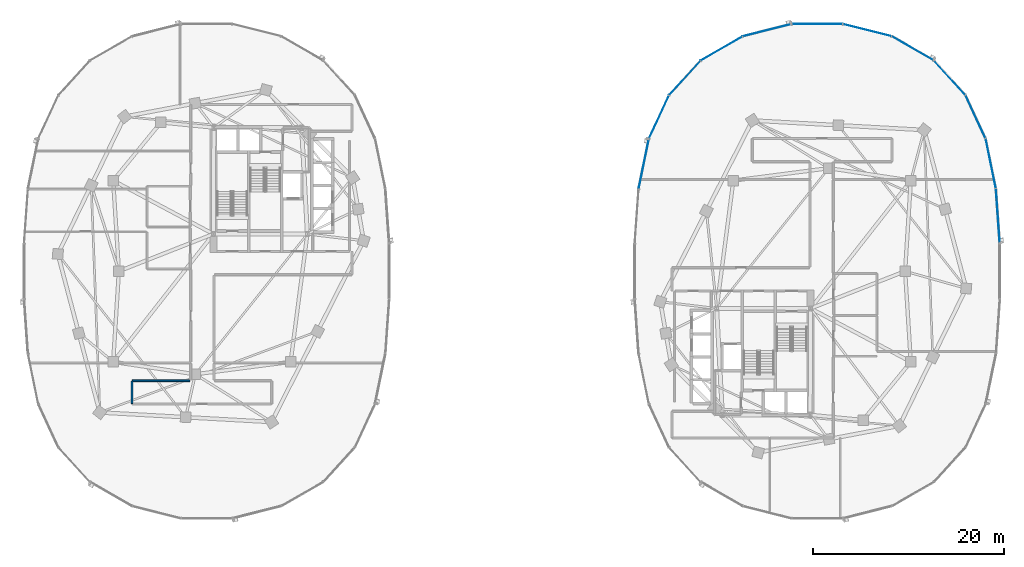
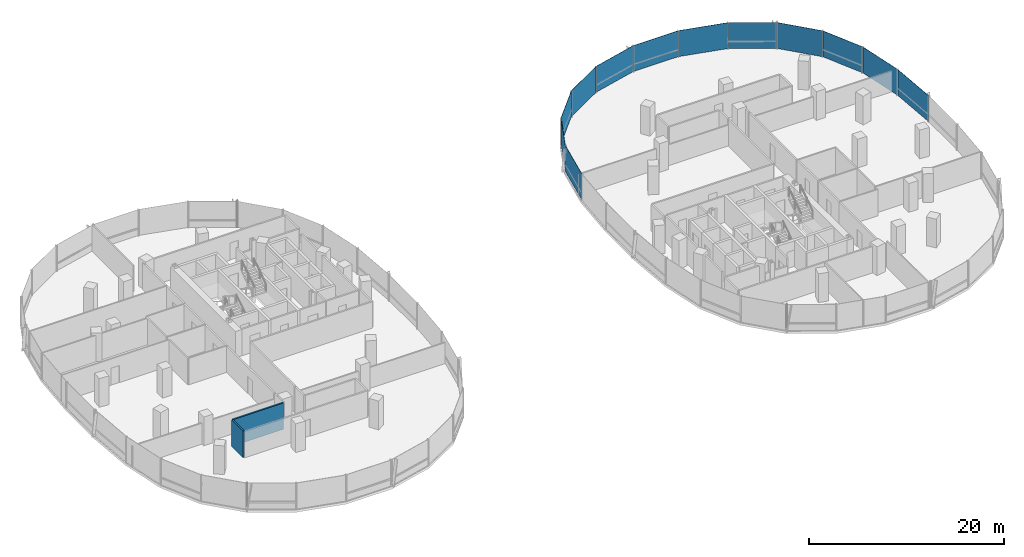
# One storey, part 10 of 21: 12 plates, 2 walls, 2 elements without a shape of their own.
"""IFC4 building model written with IfcOpenShell, lengths in metres."""

from ifc_helpers import new_model, si_unit, direction, frame, frame_2d, origin, origin_2d, place, context, subcontext, project, spatial, rectangle, extrude, material, layer, layer_set, type_object, element, aggregate, save


model = new_model("IFC4")

# Units and contexts
model_context = context("Model", 3, precision=1e-05, world=origin(), true_north=direction((0.0, 1.0)))
body_context = subcontext(model_context, "Body", "Model", "MODEL_VIEW")
ifc_project = project(units=[si_unit("LENGTHUNIT", "METRE"), si_unit("AREAUNIT", "SQUARE_METRE"), si_unit("VOLUMEUNIT", "CUBIC_METRE"), si_unit("PLANEANGLEUNIT", "RADIAN"), si_unit("MASSUNIT", "GRAM", prefix="KILO"), si_unit("THERMODYNAMICTEMPERATUREUNIT", "KELVIN"), si_unit("POWERUNIT", "WATT")], contexts=[model_context])

# Site, building, storey
site_placement = place(None, origin())
site = spatial("IfcSite", under=ifc_project, at=site_placement, CompositionType="ELEMENT")
building_placement = place(site_placement, origin())
building = spatial("IfcBuilding", under=site, at=building_placement, Name="Cundina Bronze Exchange", CompositionType="ELEMENT")
storey_placement = place(building_placement, frame((0.0, 0.0, 107.0)))
storey = spatial("IfcBuildingStorey", under=building, at=storey_placement, Name="L27", CompositionType="ELEMENT", Elevation=107.0)

# Curtain wall, plates
ifc_material_1 = material(Name="Anodised Bronze Aluminium 6063-T6", Category="aluminium")
curtain_wall_type = type_object("IfcCurtainWallType", Name="CWS-TRD-MID", PredefinedType="NOTDEFINED", material=ifc_material_1)
curtain_wall_1_placement = place(storey_placement, origin())
curtain_wall_1 = element("IfcCurtainWall", 1, at=curtain_wall_1_placement, inside=storey, type_object=curtain_wall_type, Name="L27 CW-03 Curtain Wall Run CWR-L27-E1", PredefinedType="NOTDEFINED")
ifc_material_2 = material(Name="Heat-Strengthened Solar-Control Bronze Safety Glass 28mm", Category="glass")
ifc_layer_1 = layer(ifc_material_2, 0.028076171875, Name="Heat-Strengthened Solar-Control Bronze Safety Glass 28mm", Category="glass")
ifc_layer_set_1 = layer_set([ifc_layer_1], Name="Heat-Strengthened Solar-Control Bronze Safety Glass 28mm")
plate_type_1 = type_object("IfcPlateType", Name="PLT-GLZ-VIS28", PredefinedType="CURTAIN_PANEL", material=ifc_layer_set_1)
plate_1_placement = place(storey_placement, frame((50.9267578125, 5.783935546875, 0.02001953125), z_axis=(0.0, 0.0, 1.0), x_axis=(-0.070278787473, 0.997527389113, 0.0)))
plate_1 = element("IfcPlate", 2, at=plate_1_placement, type_object=plate_type_1, Name="CW-03 Glazed Panel 1", PredefinedType="CURTAIN_PANEL", context=body_context, shape_type="SweptSolid", body=[
    extrude(rectangle(XDim=5.644287109375, YDim=0.028076171875, at=origin_2d()), origin(), (0.0, 0.0, 1.0), 3.260009765625),
])
plate_2_placement = place(storey_placement, frame((50.18408203125, 11.269775390625, 0.02001953125), z_axis=(0.0, 0.0, 1.0), x_axis=(-0.201419845156, 0.979505000486, 0.0)))
plate_2 = element("IfcPlate", 3, at=plate_2_placement, type_object=plate_type_1, Name="CW-03 Glazed Panel 2", PredefinedType="CURTAIN_PANEL", context=body_context, shape_type="SweptSolid", body=[
    extrude(rectangle(XDim=5.306640625, YDim=0.028076171875, at=origin_2d()), origin(), (0.0, 0.0, 1.0), 3.260009765625),
])
plate_3_placement = place(storey_placement, frame((45.8740234375, 20.267333984375, 0.02001953125), z_axis=(0.0, 0.0, 1.0), x_axis=(-0.674276610219, 0.73847887777, 0.0)))
plate_3 = element("IfcPlate", 4, at=plate_3_placement, type_object=plate_type_1, Name="CW-03 Glazed Panel 4", PredefinedType="CURTAIN_PANEL", context=body_context, shape_type="SweptSolid", body=[
    extrude(rectangle(XDim=4.86328125, YDim=0.028076171875, at=origin_2d()), origin(), (0.0, 0.0, 1.0), 3.260009765625),
])
plate_4_placement = place(storey_placement, frame((42.019287109375, 23.34423828125, 0.02001953125), z_axis=(0.0, 0.0, 1.0), x_axis=(-0.867105478933, 0.498124571171, 0.0)))
plate_4 = element("IfcPlate", 5, at=plate_4_placement, type_object=plate_type_1, Name="CW-03 Glazed Panel 5", PredefinedType="CURTAIN_PANEL", context=body_context, shape_type="SweptSolid", body=[
    extrude(rectangle(XDim=5.021240234375, YDim=0.028076171875, at=origin_2d()), origin(), (0.0, 0.0, 1.0), 3.260009765625),
])
plate_5_placement = place(storey_placement, frame((37.255615234375, 25.256591796875, 0.02001953125), z_axis=(0.0, 0.0, 1.0), x_axis=(-0.969488149345, 0.245138182011, 0.0)))
plate_5 = element("IfcPlate", 6, at=plate_5_placement, type_object=plate_type_1, Name="CW-03 Glazed Panel 6", PredefinedType="CURTAIN_PANEL", context=body_context, shape_type="SweptSolid", body=[
    extrude(rectangle(XDim=5.2333984375, YDim=0.028076171875, at=origin_2d()), origin(), (0.0, 0.0, 1.0), 3.260009765625),
])
plate_6_placement = place(storey_placement, frame((32.0, 25.905029296875, 0.02001953125), z_axis=(0.0, 0.0, 1.0), x_axis=(-1.0, 0.0, 0.0)))
plate_6 = element("IfcPlate", 7, at=plate_6_placement, type_object=plate_type_1, Name="CW-03 Glazed Panel 7", PredefinedType="CURTAIN_PANEL", context=body_context, shape_type="SweptSolid", body=[
    extrude(rectangle(XDim=5.323974609375, YDim=0.028076171875, at=origin_2d()), origin(), (0.0, 0.0, 1.0), 3.260009765625),
])

curtain_wall_2_placement = place(storey_placement, origin())
curtain_wall_2 = element("IfcCurtainWall", 8, at=curtain_wall_2_placement, inside=storey, type_object=curtain_wall_type, Name="L27 CW-03 Curtain Wall Run CWR-L27-E2", PredefinedType="NOTDEFINED")
plate_7_placement = place(storey_placement, frame((26.744384765625, 25.256591796875, 0.02001953125), z_axis=(0.0, 0.0, 1.0), x_axis=(-0.969488149345, -0.245138182011, 0.0)))
plate_7 = element("IfcPlate", 9, at=plate_7_placement, type_object=plate_type_1, Name="CW-03 Glazed Panel 1", PredefinedType="CURTAIN_PANEL", context=body_context, shape_type="SweptSolid", body=[
    extrude(rectangle(XDim=5.2333984375, YDim=0.028076171875, at=origin_2d()), origin(), (0.0, 0.0, 1.0), 3.260009765625),
])
plate_8_placement = place(storey_placement, frame((18.1259765625, 20.267333984375, 0.02001953125), z_axis=(0.0, 0.0, 1.0), x_axis=(-0.674276610219, -0.73847887777, 0.0)))
plate_8 = element("IfcPlate", 10, at=plate_8_placement, type_object=plate_type_1, Name="CW-03 Glazed Panel 3", PredefinedType="CURTAIN_PANEL", context=body_context, shape_type="SweptSolid", body=[
    extrude(rectangle(XDim=4.86328125, YDim=0.028076171875, at=origin_2d()), origin(), (0.0, 0.0, 1.0), 3.260009765625),
])
plate_9_placement = place(storey_placement, frame((15.413818359375, 16.177734375, 0.02001953125), z_axis=(0.0, 0.0, 1.0), x_axis=(-0.42084583328, -0.907132175932, 0.0)))
plate_9 = element("IfcPlate", 11, at=plate_9_placement, type_object=plate_type_1, Name="CW-03 Glazed Panel 4", PredefinedType="CURTAIN_PANEL", context=body_context, shape_type="SweptSolid", body=[
    extrude(rectangle(XDim=4.966552734375, YDim=0.028076171875, at=origin_2d()), origin(), (0.0, 0.0, 1.0), 3.260009765625),
])
plate_10_placement = place(storey_placement, frame((13.81591796875, 11.269775390625, 0.02001953125), z_axis=(0.0, 0.0, 1.0), x_axis=(-0.201419845156, -0.979505000486, 0.0)))
plate_10 = element("IfcPlate", 12, at=plate_10_placement, type_object=plate_type_1, Name="CW-03 Glazed Panel 5", PredefinedType="CURTAIN_PANEL", context=body_context, shape_type="SweptSolid", body=[
    extrude(rectangle(XDim=5.306640625, YDim=0.028076171875, at=origin_2d()), origin(), (0.0, 0.0, 1.0), 3.260009765625),
])

# Plate
ifc_material_3 = material(Name="Dark Bronze Spandrel Glass Panel 32mm", Category="glass")
ifc_layer_2 = layer(ifc_material_3, 0.031982421875, Name="Dark Bronze Spandrel Glass Panel 32mm", Category="glass")
ifc_layer_set_2 = layer_set([ifc_layer_2], Name="Dark Bronze Spandrel Glass Panel 32mm")
plate_type_2 = type_object("IfcPlateType", Name="PLT-SPN-BRZ32", PredefinedType="CURTAIN_PANEL", material=ifc_layer_set_2)
plate_11_placement = place(storey_placement, frame((48.586181640625, 16.177734375, 0.02001953125), z_axis=(0.0, 0.0, 1.0), x_axis=(-0.42084583328, 0.907132175932, 0.0)))
plate_11 = element("IfcPlate", 13, at=plate_11_placement, type_object=plate_type_2, Name="CW-03 Glazed Panel 3", PredefinedType="CURTAIN_PANEL", context=body_context, shape_type="SweptSolid", body=[
    extrude(rectangle(XDim=4.966552734375, YDim=0.031982421875, at=origin_2d()), origin(), (0.0, 0.0, 1.0), 3.260009765625),
])

aggregate(curtain_wall_1, [plate_1, plate_2, plate_11, plate_3, plate_4, plate_5, plate_6])

plate_12_placement = place(storey_placement, frame((21.980712890625, 23.34423828125, 0.02001953125), z_axis=(0.0, 0.0, 1.0), x_axis=(-0.867105478933, -0.498124571171, 0.0)))
plate_12 = element("IfcPlate", 14, at=plate_12_placement, type_object=plate_type_2, Name="CW-03 Glazed Panel 2", PredefinedType="CURTAIN_PANEL", context=body_context, shape_type="SweptSolid", body=[
    extrude(rectangle(XDim=5.021240234375, YDim=0.031982421875, at=origin_2d()), origin(), (0.0, 0.0, 1.0), 3.260009765625),
])

aggregate(curtain_wall_2, [plate_7, plate_12, plate_8, plate_9, plate_10])

# Walls
ifc_material_4 = material(Name="Gypsum Fireboard Partition EI120")
ifc_layer_3 = layer(ifc_material_4, 0.179931640625, Name="Gypsum Fireboard Partition EI120")
ifc_layer_set_3 = layer_set([ifc_layer_3], Name="Gypsum Fireboard Partition EI120")
wall_type = type_object("IfcWallType", Name="WL-COR-180", PredefinedType="PARTITIONING", material=ifc_layer_set_3)
wall_1_placement = place(storey_placement, frame((-33.75, -11.47998046875, 0.0), z_axis=(0.0, 0.0, 1.0), x_axis=(-1.0, 0.0, 0.0)))
element("IfcWall", 15, at=wall_1_placement, inside=storey, type_object=wall_type, Name="L27 Interior Partition 021", PredefinedType="PARTITIONING", context=body_context, shape_type="SweptSolid", body=[
    extrude(rectangle(XDim=6.028564453125, YDim=0.179931640625, at=frame_2d((3.01416015625, 0.0))), origin(), (0.0, 0.0, 1.0), 3.300048828125),
])
wall_2_placement = place(storey_placement, frame((-39.820068359375, -11.521484375, 0.0), z_axis=(0.0, 0.0, 1.0), x_axis=(0.0, -1.0, 0.0)))
element("IfcWall", 16, at=wall_2_placement, inside=storey, type_object=wall_type, Name="L27 Interior Partition 023", PredefinedType="PARTITIONING", context=body_context, shape_type="SweptSolid", body=[
    extrude(rectangle(XDim=2.35693359375, YDim=0.179931640625, at=frame_2d((1.178466796875, 0.0))), origin(), (0.0, 0.0, 1.0), 3.300048828125),
])

save(model, "model.ifc")
